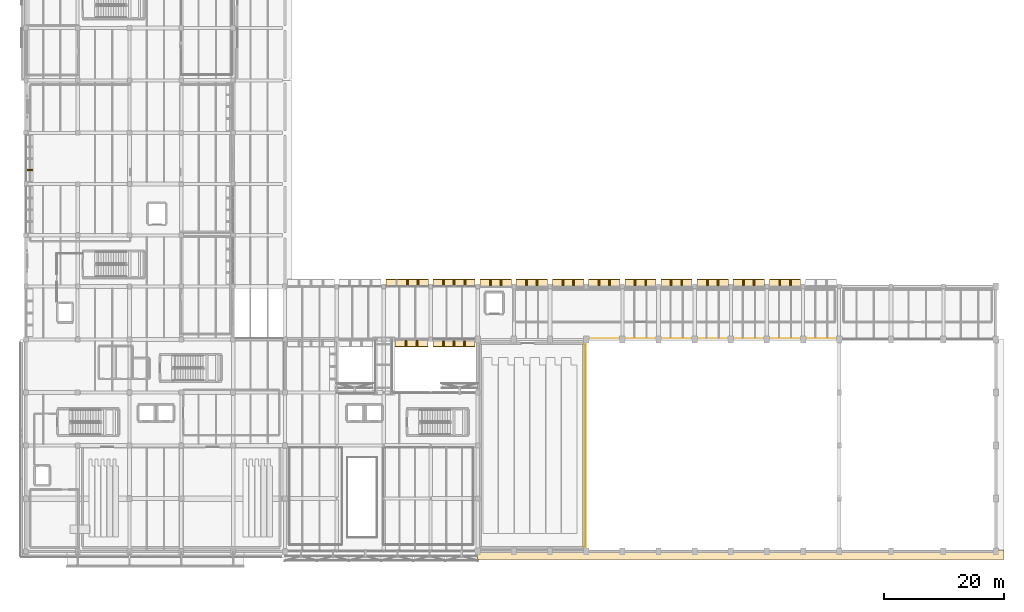
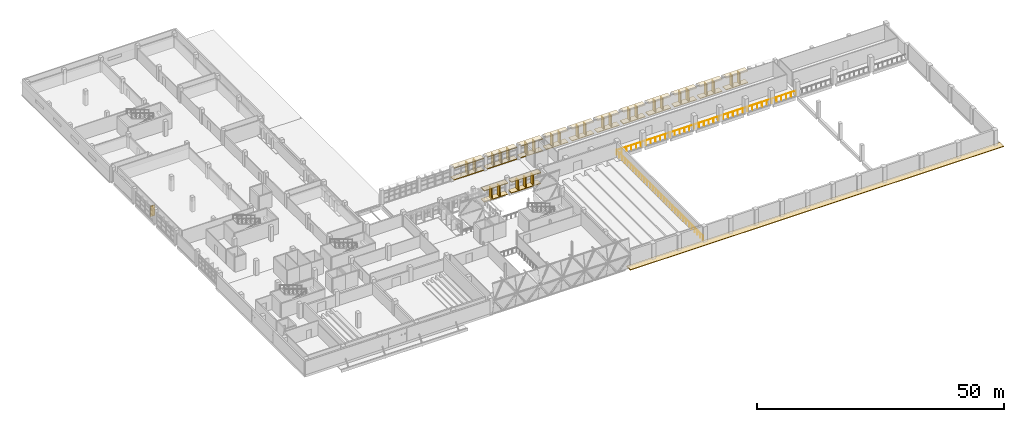
# One storey, part 76 of 80: 29 shading devices, 27 coverings, 2 railings.
"""IFC4 building model written with IfcOpenShell, lengths in metres."""

from ifc_helpers import new_model, si_unit, direction, frame, origin, origin_2d, place, context, subcontext, project, spatial, polyline, rectangle, circle, outline, extrude, material, layer, layer_set, type_object, element, save


model = new_model("IFC4")

# Units and contexts
model_context = context("Model", 3, precision=1e-05, world=origin(), true_north=direction((0.0, 1.0)))
body_context = subcontext(model_context, "Body", "Model", "MODEL_VIEW")
ifc_project = project(units=[si_unit("LENGTHUNIT", "METRE"), si_unit("AREAUNIT", "SQUARE_METRE"), si_unit("VOLUMEUNIT", "CUBIC_METRE"), si_unit("PLANEANGLEUNIT", "RADIAN"), si_unit("MASSUNIT", "GRAM", prefix="KILO")], contexts=[model_context])

# Site, building, storey
site_placement = place(None, origin())
site = spatial("IfcSite", under=ifc_project, at=site_placement, CompositionType="ELEMENT")
building_placement = place(site_placement, origin())
building = spatial("IfcBuilding", under=site, at=building_placement, Name="Varnakota Cinema and Media Centre", CompositionType="ELEMENT")
storey_placement = place(building_placement, frame((0.0, 0.0, 4.5)))
storey = spatial("IfcBuildingStorey", under=building, at=storey_placement, Name="L01", CompositionType="ELEMENT", Elevation=4.5)

# Coverings
ifc_material_1 = material(Name="Precast concrete M40", Category="concrete")
ifc_layer_1 = layer(ifc_material_1, 0.159912109375)
ifc_layer_set_1 = layer_set([ifc_layer_1], Name="Precast concrete M40")
covering_type = type_object("IfcCoveringType", Name="COV-CHAJJA-160", PredefinedType="CLADDING", material=ifc_layer_set_1)
covering_1_placement = place(storey_placement, frame((0.0, 0.0, 2.875)))
element("IfcCovering", 1, at=covering_1_placement, inside=storey, type_object=covering_type, Name="L01 Brutalist chajja overhang V1-N-1", PredefinedType="CLADDING", context=body_context, shape_type="SweptSolid", body=[
    extrude(outline(polyline([(75.4150390625, 43.820068359375), (80.610107421875, 43.820068359375), (80.610107421875, 45.219970703125), (75.4150390625, 45.219970703125), (75.4150390625, 43.820068359375)])), origin(), (0.0, 0.0, 1.0), 0.159912109375),
])
covering_2_placement = place(storey_placement, origin())
element("IfcCovering", 2, at=covering_2_placement, inside=storey, type_object=covering_type, Name="L01 brise-soleil base plinth V1-N-1", PredefinedType="CLADDING", context=body_context, shape_type="SweptSolid", body=[
    extrude(outline(polyline([(75.4150390625, 43.820068359375), (80.610107421875, 43.820068359375), (80.610107421875, 45.179931640625), (75.4150390625, 45.179931640625), (75.4150390625, 43.820068359375)])), origin(), (0.0, 0.0, 1.0), 0.159912109375),
])
covering_3_placement = place(storey_placement, frame((0.0, 0.0, 2.875)))
element("IfcCovering", 3, at=covering_3_placement, inside=storey, type_object=covering_type, Name="L01 Brutalist chajja overhang V1-N-2", PredefinedType="CLADDING", context=body_context, shape_type="SweptSolid", body=[
    extrude(outline(polyline([(81.389892578125, 43.820068359375), (86.5849609375, 43.820068359375), (86.5849609375, 45.219970703125), (81.389892578125, 45.219970703125), (81.389892578125, 43.820068359375)])), origin(), (0.0, 0.0, 1.0), 0.159912109375),
])
covering_4_placement = place(storey_placement, origin())
element("IfcCovering", 4, at=covering_4_placement, inside=storey, type_object=covering_type, Name="L01 brise-soleil base plinth V1-N-2", PredefinedType="CLADDING", context=body_context, shape_type="SweptSolid", body=[
    extrude(outline(polyline([(81.389892578125, 43.820068359375), (86.5849609375, 43.820068359375), (86.5849609375, 45.179931640625), (81.389892578125, 45.179931640625), (81.389892578125, 43.820068359375)])), origin(), (0.0, 0.0, 1.0), 0.159912109375),
])
covering_5_placement = place(storey_placement, frame((0.0, 0.0, 2.875)))
element("IfcCovering", 5, at=covering_5_placement, inside=storey, type_object=covering_type, Name="L01 Brutalist chajja overhang V1-N-3", PredefinedType="CLADDING", context=body_context, shape_type="SweptSolid", body=[
    extrude(outline(polyline([(87.4150390625, 43.820068359375), (92.610107421875, 43.820068359375), (92.610107421875, 45.219970703125), (87.4150390625, 45.219970703125), (87.4150390625, 43.820068359375)])), origin(), (0.0, 0.0, 1.0), 0.159912109375),
])
covering_6_placement = place(storey_placement, origin())
element("IfcCovering", 6, at=covering_6_placement, inside=storey, type_object=covering_type, Name="L01 brise-soleil base plinth V1-N-3", PredefinedType="CLADDING", context=body_context, shape_type="SweptSolid", body=[
    extrude(outline(polyline([(87.4150390625, 43.820068359375), (92.610107421875, 43.820068359375), (92.610107421875, 45.179931640625), (87.4150390625, 45.179931640625), (87.4150390625, 43.820068359375)])), origin(), (0.0, 0.0, 1.0), 0.159912109375),
])
covering_7_placement = place(storey_placement, frame((0.0, 0.0, 2.875)))
element("IfcCovering", 7, at=covering_7_placement, inside=storey, type_object=covering_type, Name="L01 Brutalist chajja overhang V1-N-4", PredefinedType="CLADDING", context=body_context, shape_type="SweptSolid", body=[
    extrude(outline(polyline([(93.389892578125, 43.820068359375), (98.5849609375, 43.820068359375), (98.5849609375, 45.219970703125), (93.389892578125, 45.219970703125), (93.389892578125, 43.820068359375)])), origin(), (0.0, 0.0, 1.0), 0.159912109375),
])
covering_8_placement = place(storey_placement, origin())
element("IfcCovering", 8, at=covering_8_placement, inside=storey, type_object=covering_type, Name="L01 brise-soleil base plinth V1-N-4", PredefinedType="CLADDING", context=body_context, shape_type="SweptSolid", body=[
    extrude(outline(polyline([(93.389892578125, 43.820068359375), (98.5849609375, 43.820068359375), (98.5849609375, 45.179931640625), (93.389892578125, 45.179931640625), (93.389892578125, 43.820068359375)])), origin(), (0.0, 0.0, 1.0), 0.159912109375),
])
covering_9_placement = place(storey_placement, frame((0.0, 0.0, 2.875)))
element("IfcCovering", 9, at=covering_9_placement, inside=storey, type_object=covering_type, Name="L01 Brutalist chajja overhang V1-N-5", PredefinedType="CLADDING", context=body_context, shape_type="SweptSolid", body=[
    extrude(outline(polyline([(99.4150390625, 43.820068359375), (104.610107421875, 43.820068359375), (104.610107421875, 45.219970703125), (99.4150390625, 45.219970703125), (99.4150390625, 43.820068359375)])), origin(), (0.0, 0.0, 1.0), 0.159912109375),
])
covering_10_placement = place(storey_placement, origin())
element("IfcCovering", 10, at=covering_10_placement, inside=storey, type_object=covering_type, Name="L01 brise-soleil base plinth V1-N-5", PredefinedType="CLADDING", context=body_context, shape_type="SweptSolid", body=[
    extrude(outline(polyline([(99.4150390625, 43.820068359375), (104.610107421875, 43.820068359375), (104.610107421875, 45.179931640625), (99.4150390625, 45.179931640625), (99.4150390625, 43.820068359375)])), origin(), (0.0, 0.0, 1.0), 0.159912109375),
])
covering_11_placement = place(storey_placement, frame((0.0, 0.0, 2.875)))
element("IfcCovering", 11, at=covering_11_placement, inside=storey, type_object=covering_type, Name="L01 Brutalist chajja overhang V1-N-6", PredefinedType="CLADDING", context=body_context, shape_type="SweptSolid", body=[
    extrude(outline(polyline([(105.389892578125, 43.820068359375), (110.5849609375, 43.820068359375), (110.5849609375, 45.219970703125), (105.389892578125, 45.219970703125), (105.389892578125, 43.820068359375)])), origin(), (0.0, 0.0, 1.0), 0.159912109375),
])
covering_12_placement = place(storey_placement, origin())
element("IfcCovering", 12, at=covering_12_placement, inside=storey, type_object=covering_type, Name="L01 brise-soleil base plinth V1-N-6", PredefinedType="CLADDING", context=body_context, shape_type="SweptSolid", body=[
    extrude(outline(polyline([(105.389892578125, 43.820068359375), (110.5849609375, 43.820068359375), (110.5849609375, 45.179931640625), (105.389892578125, 45.179931640625), (105.389892578125, 43.820068359375)])), origin(), (0.0, 0.0, 1.0), 0.159912109375),
])
covering_13_placement = place(storey_placement, frame((0.0, 0.0, 2.875)))
element("IfcCovering", 13, at=covering_13_placement, inside=storey, type_object=covering_type, Name="L01 Brutalist chajja overhang V1-N-7", PredefinedType="CLADDING", context=body_context, shape_type="SweptSolid", body=[
    extrude(outline(polyline([(111.4150390625, 43.820068359375), (116.610107421875, 43.820068359375), (116.610107421875, 45.219970703125), (111.4150390625, 45.219970703125), (111.4150390625, 43.820068359375)])), origin(), (0.0, 0.0, 1.0), 0.159912109375),
])
covering_14_placement = place(storey_placement, origin())
element("IfcCovering", 14, at=covering_14_placement, inside=storey, type_object=covering_type, Name="L01 brise-soleil base plinth V1-N-7", PredefinedType="CLADDING", context=body_context, shape_type="SweptSolid", body=[
    extrude(outline(polyline([(111.4150390625, 43.820068359375), (116.610107421875, 43.820068359375), (116.610107421875, 45.179931640625), (111.4150390625, 45.179931640625), (111.4150390625, 43.820068359375)])), origin(), (0.0, 0.0, 1.0), 0.159912109375),
])
covering_15_placement = place(storey_placement, frame((0.0, 0.0, 2.875)))
element("IfcCovering", 15, at=covering_15_placement, inside=storey, type_object=covering_type, Name="L01 Brutalist chajja overhang V1-N-8", PredefinedType="CLADDING", context=body_context, shape_type="SweptSolid", body=[
    extrude(outline(polyline([(117.389892578125, 43.820068359375), (122.5849609375, 43.820068359375), (122.5849609375, 45.219970703125), (117.389892578125, 45.219970703125), (117.389892578125, 43.820068359375)])), origin(), (0.0, 0.0, 1.0), 0.159912109375),
])
covering_16_placement = place(storey_placement, origin())
element("IfcCovering", 16, at=covering_16_placement, inside=storey, type_object=covering_type, Name="L01 brise-soleil base plinth V1-N-8", PredefinedType="CLADDING", context=body_context, shape_type="SweptSolid", body=[
    extrude(outline(polyline([(117.389892578125, 43.820068359375), (122.5849609375, 43.820068359375), (122.5849609375, 45.179931640625), (117.389892578125, 45.179931640625), (117.389892578125, 43.820068359375)])), origin(), (0.0, 0.0, 1.0), 0.159912109375),
])
covering_17_placement = place(storey_placement, frame((0.0, 0.0, 2.875)))
element("IfcCovering", 17, at=covering_17_placement, inside=storey, type_object=covering_type, Name="L01 Brutalist chajja overhang V1-N-9", PredefinedType="CLADDING", context=body_context, shape_type="SweptSolid", body=[
    extrude(outline(polyline([(123.4150390625, 43.820068359375), (128.610107421875, 43.820068359375), (128.610107421875, 45.219970703125), (123.4150390625, 45.219970703125), (123.4150390625, 43.820068359375)])), origin(), (0.0, 0.0, 1.0), 0.159912109375),
])
covering_18_placement = place(storey_placement, origin())
element("IfcCovering", 18, at=covering_18_placement, inside=storey, type_object=covering_type, Name="L01 brise-soleil base plinth V1-N-9", PredefinedType="CLADDING", context=body_context, shape_type="SweptSolid", body=[
    extrude(outline(polyline([(123.4150390625, 43.820068359375), (128.610107421875, 43.820068359375), (128.610107421875, 45.179931640625), (123.4150390625, 45.179931640625), (123.4150390625, 43.820068359375)])), origin(), (0.0, 0.0, 1.0), 0.159912109375),
])
covering_19_placement = place(storey_placement, frame((0.0, 0.0, 2.875)))
element("IfcCovering", 19, at=covering_19_placement, inside=storey, type_object=covering_type, Name="L01 Brutalist chajja overhang LINK-N-3", PredefinedType="CLADDING", context=body_context, shape_type="SweptSolid", body=[
    extrude(outline(polyline([(59.81494140625, 43.820068359375), (66.81005859375, 43.820068359375), (66.81005859375, 45.219970703125), (59.81494140625, 45.219970703125), (59.81494140625, 43.820068359375)])), origin(), (0.0, 0.0, 1.0), 0.159912109375),
])
covering_20_placement = place(storey_placement, origin())
element("IfcCovering", 20, at=covering_20_placement, inside=storey, type_object=covering_type, Name="L01 brise-soleil base plinth LINK-N-3", PredefinedType="CLADDING", context=body_context, shape_type="SweptSolid", body=[
    extrude(outline(polyline([(59.81494140625, 43.820068359375), (66.81005859375, 43.820068359375), (66.81005859375, 45.179931640625), (59.81494140625, 45.179931640625), (59.81494140625, 43.820068359375)])), origin(), (0.0, 0.0, 1.0), 0.159912109375),
])
covering_21_placement = place(storey_placement, frame((0.0, 0.0, 2.875)))
element("IfcCovering", 21, at=covering_21_placement, inside=storey, type_object=covering_type, Name="L01 Brutalist chajja overhang LINK-N-4", PredefinedType="CLADDING", context=body_context, shape_type="SweptSolid", body=[
    extrude(outline(polyline([(67.590087890625, 43.820068359375), (74.5849609375, 43.820068359375), (74.5849609375, 45.219970703125), (67.590087890625, 45.219970703125), (67.590087890625, 43.820068359375)])), origin(), (0.0, 0.0, 1.0), 0.159912109375),
])
covering_22_placement = place(storey_placement, origin())
element("IfcCovering", 22, at=covering_22_placement, inside=storey, type_object=covering_type, Name="L01 brise-soleil base plinth LINK-N-4", PredefinedType="CLADDING", context=body_context, shape_type="SweptSolid", body=[
    extrude(outline(polyline([(67.590087890625, 43.820068359375), (74.5849609375, 43.820068359375), (74.5849609375, 45.179931640625), (67.590087890625, 45.179931640625), (67.590087890625, 43.820068359375)])), origin(), (0.0, 0.0, 1.0), 0.159912109375),
])
covering_23_placement = place(storey_placement, frame((0.0, 0.0, 2.675048828125)))
element("IfcCovering", 23, at=covering_23_placement, inside=storey, type_object=covering_type, Name="L01 Brutalist chajja overhang LINK-S-E-1", PredefinedType="CLADDING", context=body_context, shape_type="SweptSolid", body=[
    extrude(outline(polyline([(74.510009765625, 35.3798828125), (67.614990234375, 35.3798828125), (67.614990234375, 33.97998046875), (74.510009765625, 33.97998046875), (74.510009765625, 35.3798828125)])), origin(), (0.0, 0.0, 1.0), 0.159912109375),
])
covering_24_placement = place(storey_placement, origin())
element("IfcCovering", 24, at=covering_24_placement, inside=storey, type_object=covering_type, Name="L01 brise-soleil base plinth LINK-S-E-1", PredefinedType="CLADDING", context=body_context, shape_type="SweptSolid", body=[
    extrude(outline(polyline([(74.510009765625, 35.3798828125), (67.614990234375, 35.3798828125), (67.614990234375, 34.02001953125), (74.510009765625, 34.02001953125), (74.510009765625, 35.3798828125)])), origin(), (0.0, 0.0, 1.0), 0.159912109375),
])
covering_25_placement = place(storey_placement, frame((0.0, 0.0, 2.77490234375)))
element("IfcCovering", 25, at=covering_25_placement, inside=storey, type_object=covering_type, Name="L01 Brutalist chajja overhang LINK-S-E-2", PredefinedType="CLADDING", context=body_context, shape_type="SweptSolid", body=[
    extrude(outline(polyline([(66.784912109375, 35.3798828125), (61.239990234375, 35.3798828125), (61.239990234375, 33.97998046875), (66.784912109375, 33.97998046875), (66.784912109375, 35.3798828125)])), origin(), (0.0, 0.0, 1.0), 0.16015625),
])
covering_26_placement = place(storey_placement, origin())
element("IfcCovering", 26, at=covering_26_placement, inside=storey, type_object=covering_type, Name="L01 brise-soleil base plinth LINK-S-E-2", PredefinedType="CLADDING", context=body_context, shape_type="SweptSolid", body=[
    extrude(outline(polyline([(66.784912109375, 35.3798828125), (61.239990234375, 35.3798828125), (61.239990234375, 34.02001953125), (66.784912109375, 34.02001953125), (66.784912109375, 35.3798828125)])), origin(), (0.0, 0.0, 1.0), 0.159912109375),
])
covering_27_placement = place(storey_placement, frame((0.0, 0.0, -0.159912109375)))
element("IfcCovering", 27, at=covering_27_placement, inside=storey, type_object=covering_type, Name="L01 cinema and broadcast hall colonnade cornice South", PredefinedType="CLADDING", context=body_context, shape_type="SweptSolid", body=[
    extrude(outline(polyline([(75.0, -1.35009765625), (162.35009765625, -1.35009765625), (162.35009765625, 0.25), (75.0, 0.25), (75.0, -1.35009765625)])), origin(), (0.0, 0.0, 1.0), 0.159912109375),
])

# Railings
ifc_material_2 = material(Name="Anodised golden-bronze steel Grade 350 (E350)", Category="steel")
ifc_layer_2 = layer(ifc_material_2, 0.050048828125)
ifc_layer_set_2 = layer_set([ifc_layer_2], Name="Anodised golden-bronze steel Grade 350 (E350)")
railing_type = type_object("IfcRailingType", Name="RAIL-GUARD-1150", PredefinedType="BALUSTRADE", material=ifc_layer_set_2)
railing_1_placement = place(storey_placement, frame((92.919921875, 0.280029296875, 0.0)))
element("IfcRailing", 28, at=railing_1_placement, inside=storey, type_object=railing_type, Name="L01 guard balustrade GRD-L01-V1BALC-1", PredefinedType="BALUSTRADE", context=body_context, shape_type="SweptSolid", body=[
    extrude(circle(Radius=0.02392578125, at=origin_2d()), frame((0.0, 0.0, 1.1259765625), z_axis=(0.0, 1.0, 0.0), x_axis=(-1.0, 0.0, 0.0)), (0.0, 0.0, 1.0), 34.949951171875),
    extrude(circle(Radius=0.02099609375, at=origin_2d()), origin(), (0.0, 0.0, 1.0), 1.101806640625),
    extrude(circle(Radius=0.02099609375, at=origin_2d()), frame((0.0, 1.12744140625, 0.0)), (0.0, 0.0, 1.0), 1.101806640625),
    extrude(circle(Radius=0.02099609375, at=origin_2d()), frame((0.0, 2.2548828125, 0.0)), (0.0, 0.0, 1.0), 1.101806640625),
    extrude(circle(Radius=0.02099609375, at=origin_2d()), frame((0.0, 3.38232421875, 0.0)), (0.0, 0.0, 1.0), 1.101806640625),
    extrude(circle(Radius=0.02099609375, at=origin_2d()), frame((0.0, 4.509765625, 0.0)), (0.0, 0.0, 1.0), 1.101806640625),
    extrude(circle(Radius=0.02099609375, at=origin_2d()), frame((0.0, 5.63720703125, 0.0)), (0.0, 0.0, 1.0), 1.101806640625),
    extrude(circle(Radius=0.02099609375, at=origin_2d()), frame((0.0, 6.764404296875, 0.0)), (0.0, 0.0, 1.0), 1.101806640625),
    extrude(circle(Radius=0.02099609375, at=origin_2d()), frame((0.0, 7.891845703125, 0.0)), (0.0, 0.0, 1.0), 1.101806640625),
    extrude(circle(Radius=0.02099609375, at=origin_2d()), frame((0.0, 9.019287109375, 0.0)), (0.0, 0.0, 1.0), 1.101806640625),
    extrude(circle(Radius=0.02099609375, at=origin_2d()), frame((0.0, 10.146728515625, 0.0)), (0.0, 0.0, 1.0), 1.101806640625),
    extrude(circle(Radius=0.02099609375, at=origin_2d()), frame((0.0, 11.274169921875, 0.0)), (0.0, 0.0, 1.0), 1.101806640625),
    extrude(circle(Radius=0.02099609375, at=origin_2d()), frame((0.0, 12.401611328125, 0.0)), (0.0, 0.0, 1.0), 1.101806640625),
    extrude(circle(Radius=0.02099609375, at=origin_2d()), frame((0.0, 13.529052734375, 0.0)), (0.0, 0.0, 1.0), 1.101806640625),
    extrude(circle(Radius=0.02099609375, at=origin_2d()), frame((0.0, 14.656494140625, 0.0)), (0.0, 0.0, 1.0), 1.101806640625),
    extrude(circle(Radius=0.02099609375, at=origin_2d()), frame((0.0, 15.783935546875, 0.0)), (0.0, 0.0, 1.0), 1.101806640625),
    extrude(circle(Radius=0.02099609375, at=origin_2d()), frame((0.0, 16.911376953125, 0.0)), (0.0, 0.0, 1.0), 1.101806640625),
    extrude(circle(Radius=0.02099609375, at=origin_2d()), frame((0.0, 18.03857421875, 0.0)), (0.0, 0.0, 1.0), 1.101806640625),
    extrude(circle(Radius=0.02099609375, at=origin_2d()), frame((0.0, 19.166015625, 0.0)), (0.0, 0.0, 1.0), 1.101806640625),
    extrude(circle(Radius=0.02099609375, at=origin_2d()), frame((0.0, 20.29345703125, 0.0)), (0.0, 0.0, 1.0), 1.101806640625),
    extrude(circle(Radius=0.02099609375, at=origin_2d()), frame((0.0, 21.4208984375, 0.0)), (0.0, 0.0, 1.0), 1.101806640625),
    extrude(circle(Radius=0.02099609375, at=origin_2d()), frame((0.0, 22.54833984375, 0.0)), (0.0, 0.0, 1.0), 1.101806640625),
    extrude(circle(Radius=0.02099609375, at=origin_2d()), frame((0.0, 23.67578125, 0.0)), (0.0, 0.0, 1.0), 1.101806640625),
    extrude(circle(Radius=0.02099609375, at=origin_2d()), frame((0.0, 24.80322265625, 0.0)), (0.0, 0.0, 1.0), 1.101806640625),
    extrude(circle(Radius=0.02099609375, at=origin_2d()), frame((0.0, 25.9306640625, 0.0)), (0.0, 0.0, 1.0), 1.101806640625),
    extrude(circle(Radius=0.02099609375, at=origin_2d()), frame((0.0, 27.05810546875, 0.0)), (0.0, 0.0, 1.0), 1.101806640625),
    extrude(circle(Radius=0.02099609375, at=origin_2d()), frame((0.0, 28.185546875, 0.0)), (0.0, 0.0, 1.0), 1.101806640625),
    extrude(circle(Radius=0.02099609375, at=origin_2d()), frame((0.0, 29.312744140625, 0.0)), (0.0, 0.0, 1.0), 1.101806640625),
    extrude(circle(Radius=0.02099609375, at=origin_2d()), frame((0.0, 30.440185546875, 0.0)), (0.0, 0.0, 1.0), 1.101806640625),
    extrude(circle(Radius=0.02099609375, at=origin_2d()), frame((0.0, 31.567626953125, 0.0)), (0.0, 0.0, 1.0), 1.101806640625),
    extrude(circle(Radius=0.02099609375, at=origin_2d()), frame((0.0, 32.695068359375, 0.0)), (0.0, 0.0, 1.0), 1.101806640625),
    extrude(circle(Radius=0.02099609375, at=origin_2d()), frame((0.0, 33.822509765625, 0.0)), (0.0, 0.0, 1.0), 1.101806640625),
    extrude(circle(Radius=0.02099609375, at=origin_2d()), frame((0.0, 34.949951171875, 0.0)), (0.0, 0.0, 1.0), 1.101806640625),
])
railing_2_placement = place(storey_placement, frame((92.949951171875, 35.260009765625, 0.0)))
element("IfcRailing", 29, at=railing_2_placement, inside=storey, type_object=railing_type, Name="L01 guard balustrade GRD-L01-V1BALC-2", PredefinedType="BALUSTRADE", context=body_context, shape_type="SweptSolid", body=[
    extrude(circle(Radius=0.02392578125, at=origin_2d()), frame((0.0, 0.0, 1.1259765625), z_axis=(1.0, 0.0, 0.0), x_axis=(0.0, 1.0, 0.0)), (0.0, 0.0, 1.0), 41.8701171875),
    extrude(circle(Radius=0.02099609375, at=origin_2d()), origin(), (0.0, 0.0, 1.0), 1.101806640625),
    extrude(circle(Radius=0.02099609375, at=origin_2d()), frame((1.131591796875, 0.0, 0.0)), (0.0, 0.0, 1.0), 1.101806640625),
    extrude(circle(Radius=0.02099609375, at=origin_2d()), frame((2.26318359375, 0.0, 0.0)), (0.0, 0.0, 1.0), 1.101806640625),
    extrude(circle(Radius=0.02099609375, at=origin_2d()), frame((3.394775390625, 0.0, 0.0)), (0.0, 0.0, 1.0), 1.101806640625),
    extrude(circle(Radius=0.02099609375, at=origin_2d()), frame((4.526611328125, 0.0, 0.0)), (0.0, 0.0, 1.0), 1.101806640625),
    extrude(circle(Radius=0.02099609375, at=origin_2d()), frame((5.658203125, 0.0, 0.0)), (0.0, 0.0, 1.0), 1.101806640625),
    extrude(circle(Radius=0.02099609375, at=origin_2d()), frame((6.789794921875, 0.0, 0.0)), (0.0, 0.0, 1.0), 1.101806640625),
    extrude(circle(Radius=0.02099609375, at=origin_2d()), frame((7.92138671875, 0.0, 0.0)), (0.0, 0.0, 1.0), 1.101806640625),
    extrude(circle(Radius=0.02099609375, at=origin_2d()), frame((9.052978515625, 0.0, 0.0)), (0.0, 0.0, 1.0), 1.101806640625),
    extrude(circle(Radius=0.02099609375, at=origin_2d()), frame((10.1845703125, 0.0, 0.0)), (0.0, 0.0, 1.0), 1.101806640625),
    extrude(circle(Radius=0.02099609375, at=origin_2d()), frame((11.316162109375, 0.0, 0.0)), (0.0, 0.0, 1.0), 1.101806640625),
    extrude(circle(Radius=0.02099609375, at=origin_2d()), frame((12.44775390625, 0.0, 0.0)), (0.0, 0.0, 1.0), 1.101806640625),
    extrude(circle(Radius=0.02099609375, at=origin_2d()), frame((13.57958984375, 0.0, 0.0)), (0.0, 0.0, 1.0), 1.101806640625),
    extrude(circle(Radius=0.02099609375, at=origin_2d()), frame((14.711181640625, 0.0, 0.0)), (0.0, 0.0, 1.0), 1.101806640625),
    extrude(circle(Radius=0.02099609375, at=origin_2d()), frame((15.8427734375, 0.0, 0.0)), (0.0, 0.0, 1.0), 1.101806640625),
    extrude(circle(Radius=0.02099609375, at=origin_2d()), frame((16.974365234375, 0.0, 0.0)), (0.0, 0.0, 1.0), 1.101806640625),
    extrude(circle(Radius=0.02099609375, at=origin_2d()), frame((18.10595703125, 0.0, 0.0)), (0.0, 0.0, 1.0), 1.101806640625),
    extrude(circle(Radius=0.02099609375, at=origin_2d()), frame((19.237548828125, 0.0, 0.0)), (0.0, 0.0, 1.0), 1.101806640625),
    extrude(circle(Radius=0.02099609375, at=origin_2d()), frame((20.369140625, 0.0, 0.0)), (0.0, 0.0, 1.0), 1.101806640625),
    extrude(circle(Radius=0.02099609375, at=origin_2d()), frame((21.5009765625, 0.0, 0.0)), (0.0, 0.0, 1.0), 1.101806640625),
    extrude(circle(Radius=0.02099609375, at=origin_2d()), frame((22.632568359375, 0.0, 0.0)), (0.0, 0.0, 1.0), 1.101806640625),
    extrude(circle(Radius=0.02099609375, at=origin_2d()), frame((23.76416015625, 0.0, 0.0)), (0.0, 0.0, 1.0), 1.101806640625),
    extrude(circle(Radius=0.02099609375, at=origin_2d()), frame((24.895751953125, 0.0, 0.0)), (0.0, 0.0, 1.0), 1.101806640625),
    extrude(circle(Radius=0.02099609375, at=origin_2d()), frame((26.02734375, 0.0, 0.0)), (0.0, 0.0, 1.0), 1.101806640625),
    extrude(circle(Radius=0.02099609375, at=origin_2d()), frame((27.158935546875, 0.0, 0.0)), (0.0, 0.0, 1.0), 1.101806640625),
    extrude(circle(Radius=0.02099609375, at=origin_2d()), frame((28.29052734375, 0.0, 0.0)), (0.0, 0.0, 1.0), 1.101806640625),
    extrude(circle(Radius=0.02099609375, at=origin_2d()), frame((29.42236328125, 0.0, 0.0)), (0.0, 0.0, 1.0), 1.101806640625),
    extrude(circle(Radius=0.02099609375, at=origin_2d()), frame((30.553955078125, 0.0, 0.0)), (0.0, 0.0, 1.0), 1.101806640625),
    extrude(circle(Radius=0.02099609375, at=origin_2d()), frame((31.685546875, 0.0, 0.0)), (0.0, 0.0, 1.0), 1.101806640625),
    extrude(circle(Radius=0.02099609375, at=origin_2d()), frame((32.817138671875, 0.0, 0.0)), (0.0, 0.0, 1.0), 1.101806640625),
    extrude(circle(Radius=0.02099609375, at=origin_2d()), frame((33.94873046875, 0.0, 0.0)), (0.0, 0.0, 1.0), 1.101806640625),
    extrude(circle(Radius=0.02099609375, at=origin_2d()), frame((35.080322265625, 0.0, 0.0)), (0.0, 0.0, 1.0), 1.101806640625),
    extrude(circle(Radius=0.02099609375, at=origin_2d()), frame((36.2119140625, 0.0, 0.0)), (0.0, 0.0, 1.0), 1.101806640625),
    extrude(circle(Radius=0.02099609375, at=origin_2d()), frame((37.343505859375, 0.0, 0.0)), (0.0, 0.0, 1.0), 1.101806640625),
    extrude(circle(Radius=0.02099609375, at=origin_2d()), frame((38.475341796875, 0.0, 0.0)), (0.0, 0.0, 1.0), 1.101806640625),
    extrude(circle(Radius=0.02099609375, at=origin_2d()), frame((39.60693359375, 0.0, 0.0)), (0.0, 0.0, 1.0), 1.101806640625),
    extrude(circle(Radius=0.02099609375, at=origin_2d()), frame((40.738525390625, 0.0, 0.0)), (0.0, 0.0, 1.0), 1.101806640625),
    extrude(circle(Radius=0.02099609375, at=origin_2d()), frame((41.8701171875, 0.0, 0.0)), (0.0, 0.0, 1.0), 1.101806640625),
])

# Shading devices
ifc_material_3 = material(Name="Precast concrete M40", Category="concrete")
shading_device_type = type_object("IfcShadingDeviceType", Name="SHD-BRISE-FIN-240", PredefinedType="JALOUSIE", material=ifc_material_3)
for number, where, z_axis, x_axis, name in (
    (30, (77.13330078125, 44.6298828125, 0.14990234375), (0.0, 0.0, 1.0), (1.0, 0.0, 0.0), "L01 vertical concrete brise-soleil fin V1-N-1.1"),
    (31, (78.8916015625, 44.6298828125, 0.14990234375), (0.0, 0.0, 1.0), (1.0, 0.0, 0.0), "L01 vertical concrete brise-soleil fin V1-N-1.2"),
    (32, (83.1083984375, 44.6298828125, 0.14990234375), (0.0, 0.0, 1.0), (1.0, 0.0, 0.0), "L01 vertical concrete brise-soleil fin V1-N-2.1"),
    (33, (84.86669921875, 44.6298828125, 0.14990234375), (0.0, 0.0, 1.0), (1.0, 0.0, 0.0), "L01 vertical concrete brise-soleil fin V1-N-2.2"),
    (34, (89.13330078125, 44.6298828125, 0.14990234375), (0.0, 0.0, 1.0), (1.0, 0.0, 0.0), "L01 vertical concrete brise-soleil fin V1-N-3.1"),
    (35, (90.8916015625, 44.6298828125, 0.14990234375), (0.0, 0.0, 1.0), (1.0, 0.0, 0.0), "L01 vertical concrete brise-soleil fin V1-N-3.2"),
    (36, (95.1083984375, 44.6298828125, 0.14990234375), (0.0, 0.0, 1.0), (1.0, 0.0, 0.0), "L01 vertical concrete brise-soleil fin V1-N-4.1"),
    (37, (96.86669921875, 44.6298828125, 0.14990234375), (0.0, 0.0, 1.0), (1.0, 0.0, 0.0), "L01 vertical concrete brise-soleil fin V1-N-4.2"),
    (38, (101.13330078125, 44.6298828125, 0.14990234375), (0.0, 0.0, 1.0), (1.0, 0.0, 0.0), "L01 vertical concrete brise-soleil fin V1-N-5.1"),
    (39, (102.8916015625, 44.6298828125, 0.14990234375), (0.0, 0.0, 1.0), (1.0, 0.0, 0.0), "L01 vertical concrete brise-soleil fin V1-N-5.2"),
    (40, (107.1083984375, 44.6298828125, 0.14990234375), (0.0, 0.0, 1.0), (1.0, 0.0, 0.0), "L01 vertical concrete brise-soleil fin V1-N-6.1"),
    (41, (108.86669921875, 44.6298828125, 0.14990234375), (0.0, 0.0, 1.0), (1.0, 0.0, 0.0), "L01 vertical concrete brise-soleil fin V1-N-6.2"),
    (42, (113.13330078125, 44.6298828125, 0.14990234375), (0.0, 0.0, 1.0), (1.0, 0.0, 0.0), "L01 vertical concrete brise-soleil fin V1-N-7.1"),
    (43, (114.8916015625, 44.6298828125, 0.14990234375), (0.0, 0.0, 1.0), (1.0, 0.0, 0.0), "L01 vertical concrete brise-soleil fin V1-N-7.2"),
    (44, (119.1083984375, 44.6298828125, 0.14990234375), (0.0, 0.0, 1.0), (1.0, 0.0, 0.0), "L01 vertical concrete brise-soleil fin V1-N-8.1"),
    (45, (120.86669921875, 44.6298828125, 0.14990234375), (0.0, 0.0, 1.0), (1.0, 0.0, 0.0), "L01 vertical concrete brise-soleil fin V1-N-8.2"),
    (46, (125.13330078125, 44.6298828125, 0.14990234375), (0.0, 0.0, 1.0), (1.0, 0.0, 0.0), "L01 vertical concrete brise-soleil fin V1-N-9.1"),
    (47, (126.8916015625, 44.6298828125, 0.14990234375), (0.0, 0.0, 1.0), (1.0, 0.0, 0.0), "L01 vertical concrete brise-soleil fin V1-N-9.2"),
    (48, (63.3125, 44.6298828125, 0.14990234375), (0.0, 0.0, 1.0), (1.0, 0.0, 0.0), "L01 vertical concrete brise-soleil fin LINK-N-3.2"),
    (49, (65.081298828125, 44.6298828125, 0.14990234375), (0.0, 0.0, 1.0), (1.0, 0.0, 0.0), "L01 vertical concrete brise-soleil fin LINK-N-3.3"),
    (50, (69.31884765625, 44.6298828125, 0.14990234375), (0.0, 0.0, 1.0), (1.0, 0.0, 0.0), "L01 vertical concrete brise-soleil fin LINK-N-4.1"),
    (51, (71.08740234375, 44.6298828125, 0.14990234375), (0.0, 0.0, 1.0), (1.0, 0.0, 0.0), "L01 vertical concrete brise-soleil fin LINK-N-4.2"),
    (52, (72.856201171875, 44.6298828125, 0.14990234375), (0.0, 0.0, 1.0), (1.0, 0.0, 0.0), "L01 vertical concrete brise-soleil fin LINK-N-4.3"),
):
    element("IfcShadingDevice", number, at=place(storey_placement, frame(where, z_axis=z_axis, x_axis=x_axis)), inside=storey, type_object=shading_device_type, Name=name, PredefinedType="JALOUSIE", context=body_context, shape_type="SweptSolid", body=[
        extrude(rectangle(XDim=0.239990234375, YDim=1.02001953125, at=origin_2d()), origin(), (0.0, 0.0, 1.0), 2.735107421875),
    ])
for number, where, z_axis, x_axis, name in (
    (53, (72.806396484375, 34.570068359375, 0.14990234375), (0.0, 0.0, 1.0), (-1.0, 0.0, 0.0), "L01 vertical concrete brise-soleil fin LINK-S-E-1.1"),
    (54, (71.0625, 34.570068359375, 0.14990234375), (0.0, 0.0, 1.0), (-1.0, 0.0, 0.0), "L01 vertical concrete brise-soleil fin LINK-S-E-1.2"),
    (55, (69.31884765625, 34.570068359375, 0.14990234375), (0.0, 0.0, 1.0), (-1.0, 0.0, 0.0), "L01 vertical concrete brise-soleil fin LINK-S-E-1.3"),
):
    element("IfcShadingDevice", number, at=place(storey_placement, frame(where, z_axis=z_axis, x_axis=x_axis)), inside=storey, type_object=shading_device_type, Name=name, PredefinedType="JALOUSIE", context=body_context, shape_type="SweptSolid", body=[
        extrude(rectangle(XDim=0.239990234375, YDim=1.02001953125, at=origin_2d()), origin(), (0.0, 0.0, 1.0), 2.534912109375),
    ])
for number, where, z_axis, x_axis, name in (
    (56, (64.949951171875, 34.570068359375, 0.14990234375), (0.0, 0.0, 1.0), (-1.0, 0.0, 0.0), "L01 vertical concrete brise-soleil fin LINK-S-E-2.1"),
    (57, (63.074951171875, 34.570068359375, 0.14990234375), (0.0, 0.0, 1.0), (-1.0, 0.0, 0.0), "L01 vertical concrete brise-soleil fin LINK-S-E-2.2"),
):
    element("IfcShadingDevice", number, at=place(storey_placement, frame(where, z_axis=z_axis, x_axis=x_axis)), inside=storey, type_object=shading_device_type, Name=name, PredefinedType="JALOUSIE", context=body_context, shape_type="SweptSolid", body=[
        extrude(rectangle(XDim=0.239990234375, YDim=1.02001953125, at=origin_2d()), origin(), (0.0, 0.0, 1.0), 2.635009765625),
    ])
shading_device_placement = place(storey_placement, frame((0.6298828125, 63.331298828125, 0.14990234375), z_axis=(0.0, 0.0, 1.0), x_axis=(0.0, -1.0, 0.0)))
element("IfcShadingDevice", 58, at=shading_device_placement, inside=storey, type_object=shading_device_type, Name="L01 vertical concrete brise-soleil fin V5-W-2.3", PredefinedType="JALOUSIE", context=body_context, shape_type="SweptSolid", body=[
    extrude(rectangle(XDim=0.239990234375, YDim=1.02001953125, at=origin_2d()), origin(), (0.0, 0.0, 1.0), 2.5849609375),
])

save(model, "model.ifc")
